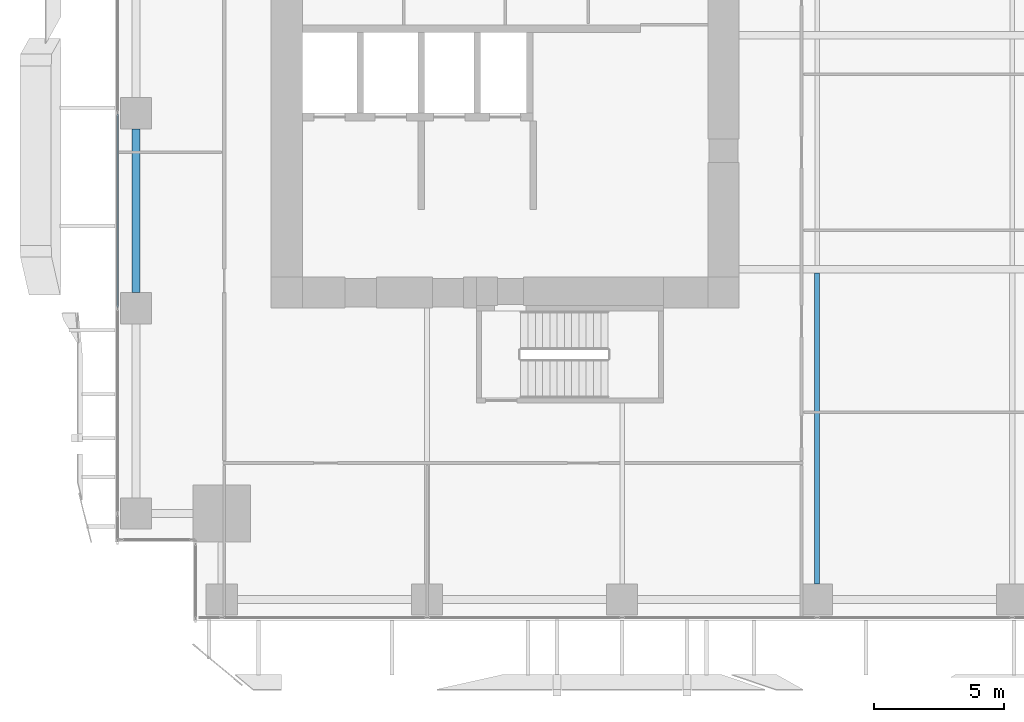
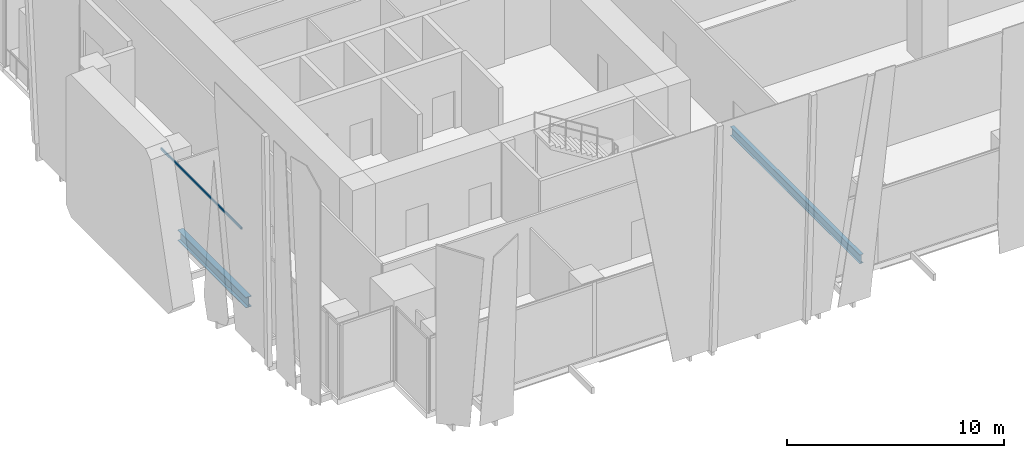
# One storey, part 4 of 37: 2 beams, 1 member, 1 element without a shape of its own.
"""IFC4 building model written with IfcOpenShell, lengths in metres."""

import ifcopenshell
import ifcopenshell.guid

model = None  # the IFC model being written
_history = None  # IfcOwnerHistory: only IFC2X3 demands one
_inside = {}  # id of a spatial element -> (the spatial element, [elements in it])
_under = {}  # id of a project, library or spatial element -> (it, [spatial elements below it])
_declared = {}  # id of a project -> (the project, [libraries it declares])
_typed = {}  # id of a type object -> (the type object, [elements of that type])
_made_of = {}  # id of a material, layer set ... -> (it, [elements and type objects made of it])


def new_model(schema):
    """Start an empty IFC model of exactly this schema.

    Asked for "IFC4X3", IfcOpenShell would pick the latest addendum, in which some entities
    have other attributes; the version numbers below select the first issue.
    IFC2X3 requires an IfcOwnerHistory on every rooted entity: one is made here for all.
    """
    global model, _history
    if schema == "IFC4X3":
        model = ifcopenshell.file(schema_version=(4, 3, 0, 0))
    else:
        model = ifcopenshell.file(schema=schema)
    _inside.clear()
    _under.clear()
    _declared.clear()
    _typed.clear()
    _made_of.clear()
    _history = None
    if model.schema == "IFC2X3":
        org = make("IfcOrganization", Name="unknown")
        user = make(
            "IfcPersonAndOrganization",
            ThePerson=make("IfcPerson", FamilyName="unknown"),
            TheOrganization=org,
        )
        app = make(
            "IfcApplication",
            ApplicationDeveloper=org,
            Version="unknown",
            ApplicationFullName="unknown",
            ApplicationIdentifier="unknown",
        )
        _history = make(
            "IfcOwnerHistory",
            OwningUser=user,
            OwningApplication=app,
            ChangeAction="ADDED",
            CreationDate=0,
        )
    return model


def make(cls, **values):
    """One entity of the class cls with the attributes given. An attribute that is None is left unset."""
    return model.create_entity(
        cls, **{name: value for name, value in values.items() if value is not None}
    )


def rooted(cls, **values):
    """An entity with a GlobalId (a new one), such as an element, a storey or a relation."""
    return make(cls, GlobalId=ifcopenshell.guid.new(), OwnerHistory=_history, **values)


def si_unit(unit_type, name, prefix=None):
    """IfcSIUnit, for example si_unit("LENGTHUNIT", "METRE", prefix="MILLI")."""
    return make("IfcSIUnit", UnitType=unit_type, Prefix=prefix, Name=name)


def assignment(units):
    """IfcUnitAssignment: the units of a project."""
    return None if units is None else make("IfcUnitAssignment", Units=units)


def point(xyz):
    """IfcCartesianPoint."""
    return None if xyz is None else make("IfcCartesianPoint", Coordinates=xyz)


def direction(xyz):
    """IfcDirection."""
    return None if xyz is None else make("IfcDirection", DirectionRatios=xyz)


def frame(location, z_axis=None, x_axis=None):
    """IfcAxis2Placement3D, a coordinate frame: its origin and axes. An axis left out is left unset."""
    return make(
        "IfcAxis2Placement3D",
        Location=point(location),
        Axis=direction(z_axis),
        RefDirection=direction(x_axis),
    )


def frame_2d(location, x_axis=None):
    """IfcAxis2Placement2D, a coordinate frame in the plane: its origin and x axis."""
    return make(
        "IfcAxis2Placement2D", Location=point(location), RefDirection=direction(x_axis)
    )


def origin():
    """The frame at (0, 0, 0) with its axes left unset."""
    return frame((0.0, 0.0, 0.0))


def origin_2d():
    """The frame at (0, 0) in the plane with its x axis left unset."""
    return frame_2d((0.0, 0.0))


def place(relative_to, where):
    """IfcLocalPlacement: puts the frame where relative to a parent placement (None: the world)."""
    return make(
        "IfcLocalPlacement", PlacementRelTo=relative_to, RelativePlacement=where
    )


def context(
    kind, dimensions, precision=None, world=None, true_north=None, identifier=None
):
    """IfcGeometricRepresentationContext, for example the 3D "Model" context."""
    return make(
        "IfcGeometricRepresentationContext",
        ContextIdentifier=identifier,
        ContextType=kind,
        CoordinateSpaceDimension=dimensions,
        Precision=precision,
        WorldCoordinateSystem=world,
        TrueNorth=true_north,
    )


def subcontext(parent, identifier, kind, view, scale=None):
    """IfcGeometricRepresentationSubContext, for example "Body" below "Model"."""
    return make(
        "IfcGeometricRepresentationSubContext",
        ContextIdentifier=identifier,
        ContextType=kind,
        ParentContext=parent,
        TargetScale=scale,
        TargetView=view,
    )


def project(units=None, contexts=None):
    """IfcProject with its units and contexts."""
    return rooted(
        "IfcProject",
        Name="project",
        RepresentationContexts=contexts,
        UnitsInContext=assignment(units),
    )


def spatial(cls, under=None, at=None, **own):
    """A site, building, storey or space (cls), placed at a placement, below another one or the project."""
    s = rooted(cls, ObjectPlacement=at, **own)
    if under is not None:
        _under.setdefault(under.id(), (under, []))[1].append(s)
    return s


def profile(cls, at=None, kind="AREA", **sizes):
    """A parametric profile (cls). Its sizes go by their IFC names, for example OverallWidth=200.0."""
    return make(cls, ProfileType=kind, Position=at, **sizes)


def hollow_rectangle(**sizes):
    """IfcRectangleHollowProfileDef."""
    return profile("IfcRectangleHollowProfileDef", **sizes)


def i_section(**sizes):
    """IfcIShapeProfileDef."""
    return profile("IfcIShapeProfileDef", **sizes)


def extrude(swept, where, along, depth):
    """IfcExtrudedAreaSolid: the profile swept, set in the frame where, extruded along a direction by depth."""
    return make(
        "IfcExtrudedAreaSolid",
        SweptArea=swept,
        Position=where,
        ExtrudedDirection=direction(along),
        Depth=depth,
    )


def shape(context_of_items, identifier, shape_type, items):
    """IfcShapeRepresentation: the items that make up one representation, for example the "Body"."""
    return make(
        "IfcShapeRepresentation",
        ContextOfItems=context_of_items,
        RepresentationIdentifier=identifier,
        RepresentationType=shape_type,
        Items=items,
    )


def source(mapping_origin, context_of_items, identifier, shape_type, items):
    """IfcRepresentationMap: a shape defined once, which mapped items show again and again."""
    return make(
        "IfcRepresentationMap",
        MappingOrigin=mapping_origin,
        MappedRepresentation=shape(context_of_items, identifier, shape_type, items),
    )


def transform(
    local_origin,
    x_axis=None,
    y_axis=None,
    z_axis=None,
    scale=None,
    scale2=None,
    scale3=None,
    uniform=True,
):
    """IfcCartesianTransformationOperator3D, or its non-uniform kind. x_axis, y_axis, z_axis: its Axis1, 2, 3."""
    if uniform:
        return make(
            "IfcCartesianTransformationOperator3D",
            Axis1=direction(x_axis),
            Axis2=direction(y_axis),
            LocalOrigin=point(local_origin),
            Scale=scale,
            Axis3=direction(z_axis),
        )
    return make(
        "IfcCartesianTransformationOperator3DnonUniform",
        Axis1=direction(x_axis),
        Axis2=direction(y_axis),
        LocalOrigin=point(local_origin),
        Scale=scale,
        Axis3=direction(z_axis),
        Scale2=scale2,
        Scale3=scale3,
    )


def mapped(mapping_source, mapping_target):
    """IfcMappedItem: shows the shape of a source again, moved by a transform."""
    return make(
        "IfcMappedItem", MappingSource=mapping_source, MappingTarget=mapping_target
    )


def material(Name=None, Category=None):
    """IfcMaterial."""
    return make("IfcMaterial", Name=Name, Category=Category)


def material_profile(
    of_material, cross_section, Name=None, Category=None, Priority=None
):
    """IfcMaterialProfile: a cross section and its material."""
    return make(
        "IfcMaterialProfile",
        Name=Name,
        Material=of_material,
        Profile=cross_section,
        Priority=Priority,
        Category=Category,
    )


def profile_set(profiles, Name=None, composite=None):
    """IfcMaterialProfileSet."""
    return make(
        "IfcMaterialProfileSet",
        Name=Name,
        MaterialProfiles=profiles,
        CompositeProfile=composite,
    )


def made_of(thing, what):
    """Note that an element or type object is made of a material, layer set ...; save() writes the relation."""
    if what is not None:
        _made_of.setdefault(what.id(), (what, []))[1].append(thing)
    return thing


def type_object(cls, material=None, **own):
    """A type object (cls), such as IfcWallType, which elements share."""
    return made_of(rooted(cls, **own), material)


def element(
    cls,
    number,
    at=None,
    inside=None,
    cuts=None,
    type_object=None,
    material=None,
    context=None,
    identifier="Body",
    shape_type=None,
    held_by="IfcProductDefinitionShape",
    body=None,
    shapes=None,
    **own,
):
    """One element of the class cls, such as IfcWall. Its Tag is "e" and its number.

    at: its placement. inside: the storey or other place that contains it. cuts: it is an
    opening in that element (IfcRelVoidsElement). A single representation is given by context,
    identifier, shape_type and body (its items); several are given by shapes. held_by: the class
    of the entity that holds the representations. save() writes the other relations.
    """
    e = rooted(cls, Tag="e%d" % number, ObjectPlacement=at, **own)
    if body is not None:
        shapes = [shape(context, identifier, shape_type, body)]
    if shapes is not None:
        e.Representation = make(held_by, Representations=shapes)
    if inside is not None:
        _inside.setdefault(inside.id(), (inside, []))[1].append(e)
    if cuts is not None:
        rooted(
            "IfcRelVoidsElement", RelatingBuildingElement=cuts, RelatedOpeningElement=e
        )
    if type_object is not None:
        _typed.setdefault(type_object.id(), (type_object, []))[1].append(e)
    return made_of(e, material)


def aggregate(whole, parts):
    """IfcRelAggregates: a whole, such as a stair, and the parts it consists of."""
    return rooted("IfcRelAggregates", RelatingObject=whole, RelatedObjects=parts)


def save(model, path):
    """Write the relations noted so far, then the file.

    IfcRelAggregates (storeys below a building ...), IfcRelContainedInSpatialStructure (elements
    in a storey), IfcRelDefinesByType, IfcRelAssociatesMaterial and IfcRelDeclares: one each for
    every whole, place, type object, material and project.
    """
    for whole, parts in _under.values():
        aggregate(whole, parts)
    for where, things in _inside.values():
        rooted(
            "IfcRelContainedInSpatialStructure",
            RelatedElements=things,
            RelatingStructure=where,
        )
    for kind, things in _typed.values():
        rooted("IfcRelDefinesByType", RelatedObjects=things, RelatingType=kind)
    for what, things in _made_of.values():
        rooted("IfcRelAssociatesMaterial", RelatedObjects=things, RelatingMaterial=what)
    for by, libraries in _declared.values():
        rooted("IfcRelDeclares", RelatingContext=by, RelatedDefinitions=libraries)
    model.write(path)


model = new_model("IFC4")

# Units and contexts
model_context = context("Model", 3, precision=1e-05, world=origin(), true_north=direction((0.0, 1.0)))
body_context = subcontext(model_context, "Body", "Model", "MODEL_VIEW")
ifc_project = project(units=[si_unit("LENGTHUNIT", "METRE"), si_unit("AREAUNIT", "SQUARE_METRE"), si_unit("VOLUMEUNIT", "CUBIC_METRE"), si_unit("PLANEANGLEUNIT", "RADIAN"), si_unit("MASSUNIT", "GRAM", prefix="KILO")], contexts=[model_context])

# Site, building, storey
site_placement = place(None, origin())
site = spatial("IfcSite", under=ifc_project, at=site_placement, CompositionType="ELEMENT")
building_placement = place(site_placement, origin())
building = spatial("IfcBuilding", under=site, at=building_placement, Name="Khomas Fold Tower", CompositionType="ELEMENT")
storey_placement = place(building_placement, frame((0.0, 0.0, 60.0)))
storey = spatial("IfcBuildingStorey", under=building, at=storey_placement, Name="L12", CompositionType="ELEMENT", Elevation=60.0)

# Beams
ifc_material_1 = material(Name="Steel S355", Category="steel")
ifc_material_profile_1 = material_profile(ifc_material_1, i_section(OverallWidth=0.300048828125, OverallDepth=0.60009765625, WebThickness=0.015380859375, FlangeThickness=0.030029296875, at=origin_2d()), Name="HE 600 B")
ifc_profile_set_1 = profile_set([ifc_material_profile_1], Name="Steel S355")
beam_type_1 = type_object("IfcBeamType", Name="HE 600 B spandrel SB1", PredefinedType="SPANDREL", material=ifc_profile_set_1)
shared_shape_1 = source(origin(), body_context, "Body", "SweptSolid", [
    extrude(i_section(OverallWidth=0.300048828125, OverallDepth=0.60009765625, WebThickness=0.015380859375, FlangeThickness=0.030029296875, at=origin_2d()), origin(), (0.0, 0.0, 1.0), 6.2998046875),
])
beam_1_placement = place(storey_placement, frame((0.800048828125, 12.60009765625, -0.60009765625), z_axis=(0.0, 1.0, 0.0), x_axis=(-1.0, 0.0, 0.0)))
element("IfcBeam", 1, at=beam_1_placement, inside=storey, type_object=beam_type_1, Name="SB1", PredefinedType="SPANDREL", context=body_context, shape_type="MappedRepresentation", body=[
    mapped(shared_shape_1, transform((0.0, 0.0, 0.0))),
])
ifc_material_2 = material(Name="Steel S355", Category="steel")
ifc_material_profile_2 = material_profile(ifc_material_2, i_section(OverallWidth=0.199951171875, OverallDepth=0.5, WebThickness=0.01025390625, FlangeThickness=0.01611328125, at=origin_2d()), Name="IPE 500")
ifc_profile_set_2 = profile_set([ifc_material_profile_2], Name="Steel S355")
beam_type_2 = type_object("IfcBeamType", Name="IPE 500 beam JB5", PredefinedType="BEAM", material=ifc_profile_set_2)
shared_shape_2 = source(origin(), body_context, "Body", "SweptSolid", [
    extrude(i_section(OverallWidth=0.199951171875, OverallDepth=0.5, WebThickness=0.01025390625, FlangeThickness=0.01611328125, at=origin_2d()), origin(), (0.0, 0.0, 1.0), 11.9501953125),
])
beam_2_placement = place(storey_placement, frame((27.0, 1.39990234375, -0.550048828125), z_axis=(0.0, 1.0, 0.0), x_axis=(-1.0, 0.0, 0.0)))
element("IfcBeam", 2, at=beam_2_placement, inside=storey, type_object=beam_type_2, Name="JB5", PredefinedType="BEAM", context=body_context, shape_type="MappedRepresentation", body=[
    mapped(shared_shape_2, transform((0.0, 0.0, 0.0))),
])

# Curtain wall, member
ifc_material_3 = material(Name="Aluminium framed double glazing", Category="aluminium")
curtain_wall_type = type_object("IfcCurtainWallType", Name="SK-Unitised clear-glass wall, growing floors CW1", PredefinedType="NOTDEFINED", material=ifc_material_3)
curtain_wall_placement = place(storey_placement, origin())
curtain_wall = element("IfcCurtainWall", 3, at=curtain_wall_placement, inside=storey, type_object=curtain_wall_type, Name="CW1 run L12 09-1", PredefinedType="NOTDEFINED")
ifc_material_4 = material(Name="Aluminium", Category="aluminium")
ifc_material_profile_3 = material_profile(ifc_material_4, hollow_rectangle(XDim=0.06005859375, YDim=0.1201171875, WallThickness=0.00390625, at=origin_2d()), Name="SK-Unitised clear-glass wall, growing floors transom CW1-T")
ifc_profile_set_3 = profile_set([ifc_material_profile_3], Name="Aluminium")
member_type = type_object("IfcMemberType", Name="SK-Unitised clear-glass wall, growing floors transom CW1-T", PredefinedType="USERDEFINED", material=ifc_profile_set_3)
shared_shape_3 = source(origin(), body_context, "Body", "SweptSolid", [
    extrude(hollow_rectangle(XDim=0.06005859375, YDim=0.1201171875, WallThickness=0.00390625, at=origin_2d()), origin(), (0.0, 0.0, 1.0), 7.43994140625),
])
member_placement = place(storey_placement, frame((0.10009765625, 19.469970703125, 4.139892578125), z_axis=(0.0, -1.0, 0.0), x_axis=(1.0, 0.0, 0.0)))
member = element("IfcMember", 4, at=member_placement, type_object=member_type, Name="CW1 transom 3", ObjectType="TRANSOM", PredefinedType="USERDEFINED", context=body_context, shape_type="MappedRepresentation", body=[
    mapped(shared_shape_3, transform((0.0, 0.0, 0.0))),
])
aggregate(curtain_wall, [member])

save(model, "model.ifc")
